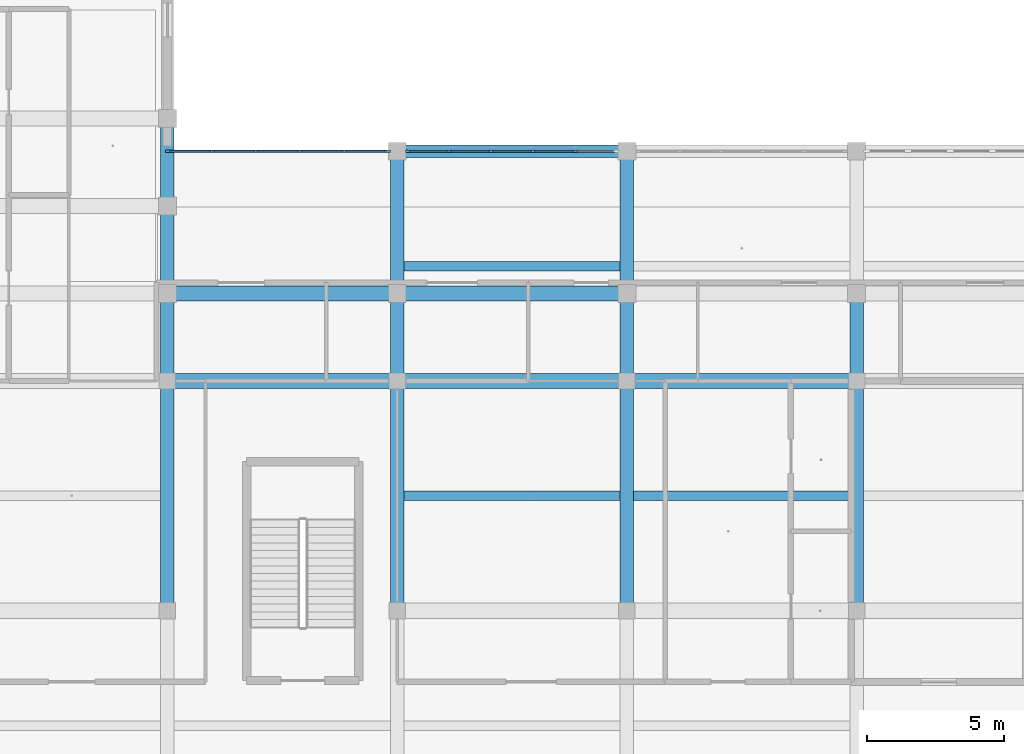
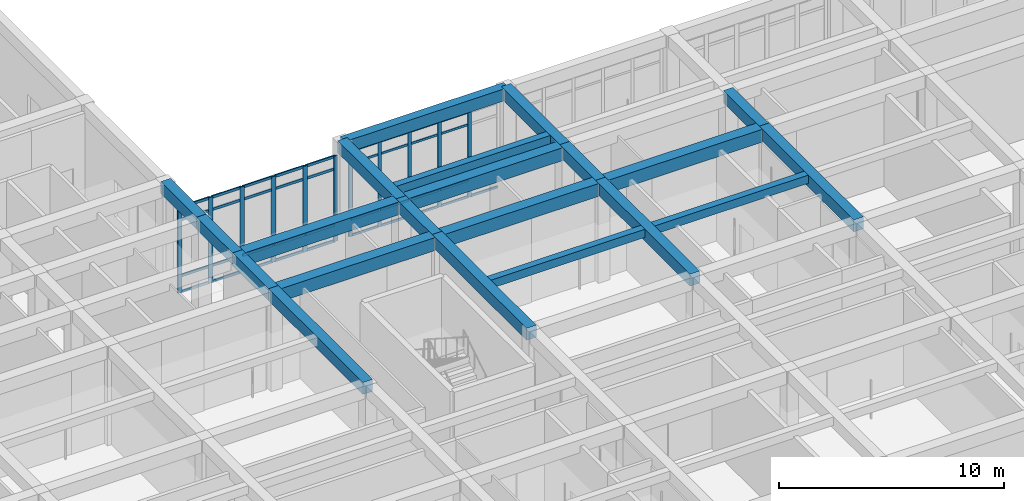
# One storey, part 41 of 157: 48 members, 21 beams, 2 elements without a shape of their own.
"""IFC4 building model written with IfcOpenShell, lengths in metres."""

import ifcopenshell
import ifcopenshell.guid

model = None  # the IFC model being written
_history = None  # IfcOwnerHistory: only IFC2X3 demands one
_inside = {}  # id of a spatial element -> (the spatial element, [elements in it])
_under = {}  # id of a project, library or spatial element -> (it, [spatial elements below it])
_declared = {}  # id of a project -> (the project, [libraries it declares])
_typed = {}  # id of a type object -> (the type object, [elements of that type])
_made_of = {}  # id of a material, layer set ... -> (it, [elements and type objects made of it])


def new_model(schema):
    """Start an empty IFC model of exactly this schema.

    Asked for "IFC4X3", IfcOpenShell would pick the latest addendum, in which some entities
    have other attributes; the version numbers below select the first issue.
    IFC2X3 requires an IfcOwnerHistory on every rooted entity: one is made here for all.
    """
    global model, _history
    if schema == "IFC4X3":
        model = ifcopenshell.file(schema_version=(4, 3, 0, 0))
    else:
        model = ifcopenshell.file(schema=schema)
    _inside.clear()
    _under.clear()
    _declared.clear()
    _typed.clear()
    _made_of.clear()
    _history = None
    if model.schema == "IFC2X3":
        org = make("IfcOrganization", Name="unknown")
        user = make(
            "IfcPersonAndOrganization",
            ThePerson=make("IfcPerson", FamilyName="unknown"),
            TheOrganization=org,
        )
        app = make(
            "IfcApplication",
            ApplicationDeveloper=org,
            Version="unknown",
            ApplicationFullName="unknown",
            ApplicationIdentifier="unknown",
        )
        _history = make(
            "IfcOwnerHistory",
            OwningUser=user,
            OwningApplication=app,
            ChangeAction="ADDED",
            CreationDate=0,
        )
    return model


def make(cls, **values):
    """One entity of the class cls with the attributes given. An attribute that is None is left unset."""
    return model.create_entity(
        cls, **{name: value for name, value in values.items() if value is not None}
    )


def rooted(cls, **values):
    """An entity with a GlobalId (a new one), such as an element, a storey or a relation."""
    return make(cls, GlobalId=ifcopenshell.guid.new(), OwnerHistory=_history, **values)


def si_unit(unit_type, name, prefix=None):
    """IfcSIUnit, for example si_unit("LENGTHUNIT", "METRE", prefix="MILLI")."""
    return make("IfcSIUnit", UnitType=unit_type, Prefix=prefix, Name=name)


def assignment(units):
    """IfcUnitAssignment: the units of a project."""
    return None if units is None else make("IfcUnitAssignment", Units=units)


def point(xyz):
    """IfcCartesianPoint."""
    return None if xyz is None else make("IfcCartesianPoint", Coordinates=xyz)


def direction(xyz):
    """IfcDirection."""
    return None if xyz is None else make("IfcDirection", DirectionRatios=xyz)


def frame(location, z_axis=None, x_axis=None):
    """IfcAxis2Placement3D, a coordinate frame: its origin and axes. An axis left out is left unset."""
    return make(
        "IfcAxis2Placement3D",
        Location=point(location),
        Axis=direction(z_axis),
        RefDirection=direction(x_axis),
    )


def frame_2d(location, x_axis=None):
    """IfcAxis2Placement2D, a coordinate frame in the plane: its origin and x axis."""
    return make(
        "IfcAxis2Placement2D", Location=point(location), RefDirection=direction(x_axis)
    )


def origin():
    """The frame at (0, 0, 0) with its axes left unset."""
    return frame((0.0, 0.0, 0.0))


def origin_2d():
    """The frame at (0, 0) in the plane with its x axis left unset."""
    return frame_2d((0.0, 0.0))


def place(relative_to, where):
    """IfcLocalPlacement: puts the frame where relative to a parent placement (None: the world)."""
    return make(
        "IfcLocalPlacement", PlacementRelTo=relative_to, RelativePlacement=where
    )


def context(
    kind, dimensions, precision=None, world=None, true_north=None, identifier=None
):
    """IfcGeometricRepresentationContext, for example the 3D "Model" context."""
    return make(
        "IfcGeometricRepresentationContext",
        ContextIdentifier=identifier,
        ContextType=kind,
        CoordinateSpaceDimension=dimensions,
        Precision=precision,
        WorldCoordinateSystem=world,
        TrueNorth=true_north,
    )


def subcontext(parent, identifier, kind, view, scale=None):
    """IfcGeometricRepresentationSubContext, for example "Body" below "Model"."""
    return make(
        "IfcGeometricRepresentationSubContext",
        ContextIdentifier=identifier,
        ContextType=kind,
        ParentContext=parent,
        TargetScale=scale,
        TargetView=view,
    )


def project(units=None, contexts=None):
    """IfcProject with its units and contexts."""
    return rooted(
        "IfcProject",
        Name="project",
        RepresentationContexts=contexts,
        UnitsInContext=assignment(units),
    )


def spatial(cls, under=None, at=None, **own):
    """A site, building, storey or space (cls), placed at a placement, below another one or the project."""
    s = rooted(cls, ObjectPlacement=at, **own)
    if under is not None:
        _under.setdefault(under.id(), (under, []))[1].append(s)
    return s


def profile(cls, at=None, kind="AREA", **sizes):
    """A parametric profile (cls). Its sizes go by their IFC names, for example OverallWidth=200.0."""
    return make(cls, ProfileType=kind, Position=at, **sizes)


def rectangle(**sizes):
    """IfcRectangleProfileDef."""
    return profile("IfcRectangleProfileDef", **sizes)


def extrude(swept, where, along, depth):
    """IfcExtrudedAreaSolid: the profile swept, set in the frame where, extruded along a direction by depth."""
    return make(
        "IfcExtrudedAreaSolid",
        SweptArea=swept,
        Position=where,
        ExtrudedDirection=direction(along),
        Depth=depth,
    )


def shape(context_of_items, identifier, shape_type, items):
    """IfcShapeRepresentation: the items that make up one representation, for example the "Body"."""
    return make(
        "IfcShapeRepresentation",
        ContextOfItems=context_of_items,
        RepresentationIdentifier=identifier,
        RepresentationType=shape_type,
        Items=items,
    )


def material(Name=None, Category=None):
    """IfcMaterial."""
    return make("IfcMaterial", Name=Name, Category=Category)


def material_profile(
    of_material, cross_section, Name=None, Category=None, Priority=None
):
    """IfcMaterialProfile: a cross section and its material."""
    return make(
        "IfcMaterialProfile",
        Name=Name,
        Material=of_material,
        Profile=cross_section,
        Priority=Priority,
        Category=Category,
    )


def profile_set(profiles, Name=None, composite=None):
    """IfcMaterialProfileSet."""
    return make(
        "IfcMaterialProfileSet",
        Name=Name,
        MaterialProfiles=profiles,
        CompositeProfile=composite,
    )


def made_of(thing, what):
    """Note that an element or type object is made of a material, layer set ...; save() writes the relation."""
    if what is not None:
        _made_of.setdefault(what.id(), (what, []))[1].append(thing)
    return thing


def type_object(cls, material=None, **own):
    """A type object (cls), such as IfcWallType, which elements share."""
    return made_of(rooted(cls, **own), material)


def element(
    cls,
    number,
    at=None,
    inside=None,
    cuts=None,
    type_object=None,
    material=None,
    context=None,
    identifier="Body",
    shape_type=None,
    held_by="IfcProductDefinitionShape",
    body=None,
    shapes=None,
    **own,
):
    """One element of the class cls, such as IfcWall. Its Tag is "e" and its number.

    at: its placement. inside: the storey or other place that contains it. cuts: it is an
    opening in that element (IfcRelVoidsElement). A single representation is given by context,
    identifier, shape_type and body (its items); several are given by shapes. held_by: the class
    of the entity that holds the representations. save() writes the other relations.
    """
    e = rooted(cls, Tag="e%d" % number, ObjectPlacement=at, **own)
    if body is not None:
        shapes = [shape(context, identifier, shape_type, body)]
    if shapes is not None:
        e.Representation = make(held_by, Representations=shapes)
    if inside is not None:
        _inside.setdefault(inside.id(), (inside, []))[1].append(e)
    if cuts is not None:
        rooted(
            "IfcRelVoidsElement", RelatingBuildingElement=cuts, RelatedOpeningElement=e
        )
    if type_object is not None:
        _typed.setdefault(type_object.id(), (type_object, []))[1].append(e)
    return made_of(e, material)


def aggregate(whole, parts):
    """IfcRelAggregates: a whole, such as a stair, and the parts it consists of."""
    return rooted("IfcRelAggregates", RelatingObject=whole, RelatedObjects=parts)


def save(model, path):
    """Write the relations noted so far, then the file.

    IfcRelAggregates (storeys below a building ...), IfcRelContainedInSpatialStructure (elements
    in a storey), IfcRelDefinesByType, IfcRelAssociatesMaterial and IfcRelDeclares: one each for
    every whole, place, type object, material and project.
    """
    for whole, parts in _under.values():
        aggregate(whole, parts)
    for where, things in _inside.values():
        rooted(
            "IfcRelContainedInSpatialStructure",
            RelatedElements=things,
            RelatingStructure=where,
        )
    for kind, things in _typed.values():
        rooted("IfcRelDefinesByType", RelatedObjects=things, RelatingType=kind)
    for what, things in _made_of.values():
        rooted("IfcRelAssociatesMaterial", RelatedObjects=things, RelatingMaterial=what)
    for by, libraries in _declared.values():
        rooted("IfcRelDeclares", RelatingContext=by, RelatedDefinitions=libraries)
    model.write(path)


model = new_model("IFC4")

# Units and contexts
model_context = context("Model", 3, precision=1e-05, world=origin(), true_north=direction((0.0, 1.0)))
body_context = subcontext(model_context, "Body", "Model", "MODEL_VIEW")
ifc_project = project(units=[si_unit("LENGTHUNIT", "METRE"), si_unit("AREAUNIT", "SQUARE_METRE"), si_unit("VOLUMEUNIT", "CUBIC_METRE"), si_unit("PLANEANGLEUNIT", "RADIAN"), si_unit("MASSUNIT", "GRAM", prefix="KILO")], contexts=[model_context])

# Site, building, storey
site_placement = place(None, origin())
site = spatial("IfcSite", under=ifc_project, at=site_placement, CompositionType="ELEMENT")
building_placement = place(site_placement, origin())
building = spatial("IfcBuilding", under=site, at=building_placement, Name="Varncliffe General Hospital", CompositionType="ELEMENT")
storey_placement = place(building_placement, frame((0.0, 0.0, 5.39990234375)))
storey = spatial("IfcBuildingStorey", under=building, at=storey_placement, Name="L01", CompositionType="ELEMENT", Elevation=5.39990234375)

# Beams
ifc_material_1 = material(Name="Concrete C35/45 (CSA A23.1 35 MPa)", Category="concrete")
ifc_material_profile_1 = material_profile(ifc_material_1, rectangle(XDim=0.5, YDim=0.64990234375, at=origin_2d()), Name="RC 500x650")
ifc_profile_set_1 = profile_set([ifc_material_profile_1], Name="Concrete C35/45 (CSA A23.1 35 MPa)")
beam_type_1 = type_object("IfcBeamType", Name="Beam B29 (Int RC 500x650)", PredefinedType="BEAM", material=ifc_profile_set_1)
beam_1_placement = place(storey_placement, frame((67.199951171875, 91.199951171875, 5.0751953125), z_axis=(0.0, 1.0, 0.0), x_axis=(-1.0, 0.0, 0.0)))
element("IfcBeam", 1, at=beam_1_placement, inside=storey, type_object=beam_type_1, Name="L01 Primary Beam B29-373", PredefinedType="BEAM", context=body_context, shape_type="SweptSolid", body=[
    extrude(rectangle(XDim=0.5, YDim=0.64990234375, at=origin_2d()), origin(), (0.0, 0.0, 1.0), 8.400146484375),
])
for number, where, z_axis, x_axis, name in (
    (2, (67.199951171875, 99.60009765625, 5.0751953125), (0.0, 1.0, 0.0), (-1.0, 0.0, 0.0), "L01 Primary Beam B29-374"),
    (3, (67.199951171875, 102.800048828125, 5.0751953125), (0.0, 1.0, 0.0), (-1.0, 0.0, 0.0), "L01 Primary Beam B29-375"),
    (4, (67.199951171875, 106.0, 5.0751953125), (0.0, 1.0, 0.0), (-1.0, 0.0, 0.0), "L01 Primary Beam B29-376"),
):
    element("IfcBeam", number, at=place(storey_placement, frame(where, z_axis=z_axis, x_axis=x_axis)), inside=storey, type_object=beam_type_1, Name=name, PredefinedType="BEAM", context=body_context, shape_type="SweptSolid", body=[
        extrude(rectangle(XDim=0.5, YDim=0.64990234375, at=origin_2d()), origin(), (0.0, 0.0, 1.0), 3.199951171875),
    ])
beam_2_placement = place(storey_placement, frame((75.60009765625, 91.199951171875, 5.0751953125), z_axis=(0.0, 1.0, 0.0), x_axis=(-1.0, 0.0, 0.0)))
element("IfcBeam", 5, at=beam_2_placement, inside=storey, type_object=beam_type_1, Name="L01 Primary Beam B29-383", PredefinedType="BEAM", context=body_context, shape_type="SweptSolid", body=[
    extrude(rectangle(XDim=0.5, YDim=0.64990234375, at=origin_2d()), origin(), (0.0, 0.0, 1.0), 8.400146484375),
])
beam_3_placement = place(storey_placement, frame((75.60009765625, 99.60009765625, 5.0751953125), z_axis=(0.0, 1.0, 0.0), x_axis=(-1.0, 0.0, 0.0)))
element("IfcBeam", 6, at=beam_3_placement, inside=storey, type_object=beam_type_1, Name="L01 Primary Beam B29-384", PredefinedType="BEAM", context=body_context, shape_type="SweptSolid", body=[
    extrude(rectangle(XDim=0.5, YDim=0.64990234375, at=origin_2d()), origin(), (0.0, 0.0, 1.0), 3.199951171875),
])
beam_4_placement = place(storey_placement, frame((75.60009765625, 102.800048828125, 5.0751953125), z_axis=(0.0, 1.0, 0.0), x_axis=(-1.0, 0.0, 0.0)))
element("IfcBeam", 7, at=beam_4_placement, inside=storey, type_object=beam_type_1, Name="L01 Primary Beam B29-385", PredefinedType="BEAM", context=body_context, shape_type="SweptSolid", body=[
    extrude(rectangle(XDim=0.5, YDim=0.64990234375, at=origin_2d()), origin(), (0.0, 0.0, 1.0), 5.199951171875),
])
beam_5_placement = place(storey_placement, frame((84.0, 91.199951171875, 5.0751953125), z_axis=(0.0, 1.0, 0.0), x_axis=(-1.0, 0.0, 0.0)))
element("IfcBeam", 8, at=beam_5_placement, inside=storey, type_object=beam_type_1, Name="L01 Primary Beam B29-390", PredefinedType="BEAM", context=body_context, shape_type="SweptSolid", body=[
    extrude(rectangle(XDim=0.5, YDim=0.64990234375, at=origin_2d()), origin(), (0.0, 0.0, 1.0), 8.400146484375),
])
beam_6_placement = place(storey_placement, frame((84.0, 99.60009765625, 5.0751953125), z_axis=(0.0, 1.0, 0.0), x_axis=(-1.0, 0.0, 0.0)))
element("IfcBeam", 9, at=beam_6_placement, inside=storey, type_object=beam_type_1, Name="L01 Primary Beam B29-391", PredefinedType="BEAM", context=body_context, shape_type="SweptSolid", body=[
    extrude(rectangle(XDim=0.5, YDim=0.64990234375, at=origin_2d()), origin(), (0.0, 0.0, 1.0), 3.199951171875),
])
beam_7_placement = place(storey_placement, frame((84.0, 102.800048828125, 5.0751953125), z_axis=(0.0, 1.0, 0.0), x_axis=(-1.0, 0.0, 0.0)))
element("IfcBeam", 10, at=beam_7_placement, inside=storey, type_object=beam_type_1, Name="L01 Primary Beam B29-392", PredefinedType="BEAM", context=body_context, shape_type="SweptSolid", body=[
    extrude(rectangle(XDim=0.5, YDim=0.64990234375, at=origin_2d()), origin(), (0.0, 0.0, 1.0), 5.199951171875),
])
beam_8_placement = place(storey_placement, frame((92.39990234375, 91.199951171875, 5.0751953125), z_axis=(0.0, 1.0, 0.0), x_axis=(-1.0, 0.0, 0.0)))
element("IfcBeam", 11, at=beam_8_placement, inside=storey, type_object=beam_type_1, Name="L01 Primary Beam B29-397", PredefinedType="BEAM", context=body_context, shape_type="SweptSolid", body=[
    extrude(rectangle(XDim=0.5, YDim=0.64990234375, at=origin_2d()), origin(), (0.0, 0.0, 1.0), 8.400146484375),
])
beam_9_placement = place(storey_placement, frame((92.39990234375, 99.60009765625, 5.0751953125), z_axis=(0.0, 1.0, 0.0), x_axis=(-1.0, 0.0, 0.0)))
element("IfcBeam", 12, at=beam_9_placement, inside=storey, type_object=beam_type_1, Name="L01 Primary Beam B29-398", PredefinedType="BEAM", context=body_context, shape_type="SweptSolid", body=[
    extrude(rectangle(XDim=0.5, YDim=0.64990234375, at=origin_2d()), origin(), (0.0, 0.0, 1.0), 3.199951171875),
])
ifc_material_profile_2 = material_profile(ifc_material_1, rectangle(XDim=0.550048828125, YDim=0.699951171875, at=origin_2d()), Name="RC 550x700")
ifc_profile_set_2 = profile_set([ifc_material_profile_2], Name="Concrete C35/45 (CSA A23.1 35 MPa)")
beam_type_2 = type_object("IfcBeamType", Name="Beam B35 (Int RC 550x700)", PredefinedType="BEAM", material=ifc_profile_set_2)
beam_10_placement = place(storey_placement, frame((67.199951171875, 99.60009765625, 5.050048828125), z_axis=(1.0, 0.0, 0.0), x_axis=(0.0, 1.0, 0.0)))
element("IfcBeam", 13, at=beam_10_placement, inside=storey, type_object=beam_type_2, Name="L01 Primary Beam B35-158", PredefinedType="BEAM", context=body_context, shape_type="SweptSolid", body=[
    extrude(rectangle(XDim=0.550048828125, YDim=0.699951171875, at=origin_2d()), origin(), (0.0, 0.0, 1.0), 8.400146484375),
])
for number, where, z_axis, x_axis, name in (
    (14, (75.60009765625, 99.60009765625, 5.050048828125), (1.0, 0.0, 0.0), (0.0, 1.0, 0.0), "L01 Primary Beam B35-159"),
    (15, (84.0, 99.60009765625, 5.050048828125), (1.0, 0.0, 0.0), (0.0, 1.0, 0.0), "L01 Primary Beam B35-160"),
):
    element("IfcBeam", number, at=place(storey_placement, frame(where, z_axis=z_axis, x_axis=x_axis)), inside=storey, type_object=beam_type_2, Name=name, PredefinedType="BEAM", context=body_context, shape_type="SweptSolid", body=[
        extrude(rectangle(XDim=0.550048828125, YDim=0.699951171875, at=origin_2d()), origin(), (0.0, 0.0, 1.0), 8.39990234375),
    ])
beam_11_placement = place(storey_placement, frame((67.199951171875, 102.800048828125, 5.050048828125), z_axis=(1.0, 0.0, 0.0), x_axis=(0.0, 1.0, 0.0)))
element("IfcBeam", 16, at=beam_11_placement, inside=storey, type_object=beam_type_2, Name="L01 Primary Beam B35-179", PredefinedType="BEAM", context=body_context, shape_type="SweptSolid", body=[
    extrude(rectangle(XDim=0.550048828125, YDim=0.699951171875, at=origin_2d()), origin(), (0.0, 0.0, 1.0), 8.400146484375),
])
beam_12_placement = place(storey_placement, frame((75.60009765625, 102.800048828125, 5.050048828125), z_axis=(1.0, 0.0, 0.0), x_axis=(0.0, 1.0, 0.0)))
element("IfcBeam", 17, at=beam_12_placement, inside=storey, type_object=beam_type_2, Name="L01 Primary Beam B35-180", PredefinedType="BEAM", context=body_context, shape_type="SweptSolid", body=[
    extrude(rectangle(XDim=0.550048828125, YDim=0.699951171875, at=origin_2d()), origin(), (0.0, 0.0, 1.0), 8.39990234375),
])

# Curtain wall, members
ifc_material_2 = material(Name="Triple low-E argon insulated vision glazing", Category="glass")
curtain_wall_type_1 = type_object("IfcCurtainWallType", Name="Unitised Glazed Curtain Wall CW15 (7674x4640)", PredefinedType="USERDEFINED", material=ifc_material_2)
curtain_wall_1_placement = place(storey_placement, origin())
curtain_wall_1 = element("IfcCurtainWall", 18, at=curtain_wall_1_placement, inside=storey, type_object=curtain_wall_type_1, Name="L01 Glazed Curtain Wall CW15-40", ObjectType="GLAZED CURTAIN WALL", PredefinedType="USERDEFINED")
ifc_material_3 = material(Name="Dark bronze thermally broken aluminium framing", Category="aluminium")
ifc_material_profile_3 = material_profile(ifc_material_3, rectangle(XDim=0.074951171875, YDim=0.179931640625, at=origin_2d()), Name="ALU 75x180")
ifc_profile_set_3 = profile_set([ifc_material_profile_3], Name="Dark bronze thermally broken aluminium framing")
member_type_1 = type_object("IfcMemberType", Name="Curtain Wall Mullion CM44 (ALU 75x180)", PredefinedType="MULLION", material=ifc_profile_set_3)
member_1_placement = place(storey_placement, frame((76.00048828125, 108.0, 0.0), z_axis=(0.0, 0.0, 1.0), x_axis=(0.0, 1.0, 0.0)))
member_1 = element("IfcMember", 19, at=member_1_placement, type_object=member_type_1, Name="CW15 mullion 1", PredefinedType="MULLION", context=body_context, shape_type="SweptSolid", body=[
    extrude(rectangle(XDim=0.074951171875, YDim=0.179931640625, at=origin_2d()), origin(), (0.0, 0.0, 1.0), 4.64013671875),
])
member_2_placement = place(storey_placement, frame((77.497802734375, 108.0, 0.0), z_axis=(0.0, 0.0, 1.0), x_axis=(0.0, 1.0, 0.0)))
member_2 = element("IfcMember", 20, at=member_2_placement, type_object=member_type_1, Name="CW15 mullion 2", PredefinedType="MULLION", context=body_context, shape_type="SweptSolid", body=[
    extrude(rectangle(XDim=0.074951171875, YDim=0.179931640625, at=origin_2d()), origin(), (0.0, 0.0, 1.0), 4.64013671875),
])
member_3_placement = place(storey_placement, frame((79.03271484375, 108.0, 0.0), z_axis=(0.0, 0.0, 1.0), x_axis=(0.0, 1.0, 0.0)))
member_3 = element("IfcMember", 21, at=member_3_placement, type_object=member_type_1, Name="CW15 mullion 3", PredefinedType="MULLION", context=body_context, shape_type="SweptSolid", body=[
    extrude(rectangle(XDim=0.074951171875, YDim=0.179931640625, at=origin_2d()), origin(), (0.0, 0.0, 1.0), 4.64013671875),
])
member_4_placement = place(storey_placement, frame((80.5673828125, 108.0, 0.0), z_axis=(0.0, 0.0, 1.0), x_axis=(0.0, 1.0, 0.0)))
member_4 = element("IfcMember", 22, at=member_4_placement, type_object=member_type_1, Name="CW15 mullion 4", PredefinedType="MULLION", context=body_context, shape_type="SweptSolid", body=[
    extrude(rectangle(XDim=0.074951171875, YDim=0.179931640625, at=origin_2d()), origin(), (0.0, 0.0, 1.0), 4.64013671875),
])
member_5_placement = place(storey_placement, frame((82.102294921875, 108.0, 0.0), z_axis=(0.0, 0.0, 1.0), x_axis=(0.0, 1.0, 0.0)))
member_5 = element("IfcMember", 23, at=member_5_placement, type_object=member_type_1, Name="CW15 mullion 5", PredefinedType="MULLION", context=body_context, shape_type="SweptSolid", body=[
    extrude(rectangle(XDim=0.074951171875, YDim=0.179931640625, at=origin_2d()), origin(), (0.0, 0.0, 1.0), 4.64013671875),
])

curtain_wall_type_2 = type_object("IfcCurtainWallType", Name="Unitised Glazed Curtain Wall CW32 (8077x4640)", PredefinedType="USERDEFINED", material=ifc_material_2)
curtain_wall_2_placement = place(storey_placement, origin())
curtain_wall_2 = element("IfcCurtainWall", 24, at=curtain_wall_2_placement, inside=storey, type_object=curtain_wall_type_2, Name="L01 Glazed Curtain Wall CW32-39", ObjectType="GLAZED CURTAIN WALL", PredefinedType="USERDEFINED")
ifc_material_profile_4 = material_profile(ifc_material_3, rectangle(XDim=0.074951171875, YDim=0.219970703125, at=origin_2d()), Name="ALU 75x220")
ifc_profile_set_4 = profile_set([ifc_material_profile_4], Name="Dark bronze thermally broken aluminium framing")
member_type_2 = type_object("IfcMemberType", Name="Curtain Wall Mullion CM74 (ALU 75x220)", PredefinedType="MULLION", material=ifc_profile_set_4)
member_6_placement = place(storey_placement, frame((67.237548828125, 108.0, 0.0), z_axis=(0.0, 0.0, 1.0), x_axis=(0.0, 1.0, 0.0)))
member_6 = element("IfcMember", 25, at=member_6_placement, type_object=member_type_2, Name="CW32 mullion 1", PredefinedType="MULLION", context=body_context, shape_type="SweptSolid", body=[
    extrude(rectangle(XDim=0.074951171875, YDim=0.219970703125, at=origin_2d()), origin(), (0.0, 0.0, 1.0), 4.64013671875),
])
member_7_placement = place(storey_placement, frame((68.8154296875, 108.0, 0.0), z_axis=(0.0, 0.0, 1.0), x_axis=(0.0, 1.0, 0.0)))
member_7 = element("IfcMember", 26, at=member_7_placement, type_object=member_type_2, Name="CW32 mullion 2", PredefinedType="MULLION", context=body_context, shape_type="SweptSolid", body=[
    extrude(rectangle(XDim=0.074951171875, YDim=0.219970703125, at=origin_2d()), origin(), (0.0, 0.0, 1.0), 4.64013671875),
])
member_8_placement = place(storey_placement, frame((70.430908203125, 108.0, 0.0), z_axis=(0.0, 0.0, 1.0), x_axis=(0.0, 1.0, 0.0)))
member_8 = element("IfcMember", 27, at=member_8_placement, type_object=member_type_2, Name="CW32 mullion 3", PredefinedType="MULLION", context=body_context, shape_type="SweptSolid", body=[
    extrude(rectangle(XDim=0.074951171875, YDim=0.219970703125, at=origin_2d()), origin(), (0.0, 0.0, 1.0), 4.64013671875),
])
member_9_placement = place(storey_placement, frame((72.046142578125, 108.0, 0.0), z_axis=(0.0, 0.0, 1.0), x_axis=(0.0, 1.0, 0.0)))
member_9 = element("IfcMember", 28, at=member_9_placement, type_object=member_type_2, Name="CW32 mullion 4", PredefinedType="MULLION", context=body_context, shape_type="SweptSolid", body=[
    extrude(rectangle(XDim=0.074951171875, YDim=0.219970703125, at=origin_2d()), origin(), (0.0, 0.0, 1.0), 4.64013671875),
])
member_10_placement = place(storey_placement, frame((73.66162109375, 108.0, 0.0), z_axis=(0.0, 0.0, 1.0), x_axis=(0.0, 1.0, 0.0)))
member_10 = element("IfcMember", 29, at=member_10_placement, type_object=member_type_2, Name="CW32 mullion 5", PredefinedType="MULLION", context=body_context, shape_type="SweptSolid", body=[
    extrude(rectangle(XDim=0.074951171875, YDim=0.219970703125, at=origin_2d()), origin(), (0.0, 0.0, 1.0), 4.64013671875),
])
member_11_placement = place(storey_placement, frame((75.239501953125, 108.0, 0.0), z_axis=(0.0, 0.0, 1.0), x_axis=(0.0, 1.0, 0.0)))
member_11 = element("IfcMember", 30, at=member_11_placement, type_object=member_type_2, Name="CW32 mullion 6", PredefinedType="MULLION", context=body_context, shape_type="SweptSolid", body=[
    extrude(rectangle(XDim=0.074951171875, YDim=0.219970703125, at=origin_2d()), origin(), (0.0, 0.0, 1.0), 4.64013671875),
])

# Member
ifc_material_profile_5 = material_profile(ifc_material_3, rectangle(XDim=0.06005859375, YDim=0.1201171875, at=origin_2d()), Name="ALU 60x120")
ifc_profile_set_5 = profile_set([ifc_material_profile_5], Name="Dark bronze thermally broken aluminium framing")
member_type_3 = type_object("IfcMemberType", Name="Curtain Wall Transom CT14 (ALU 60x120)", PredefinedType="USERDEFINED", material=ifc_profile_set_5)
member_12_placement = place(storey_placement, frame((76.0380859375, 108.0, 0.030029296875), z_axis=(1.0, 0.0, 0.0), x_axis=(0.0, 1.0, 0.0)))
member_12 = element("IfcMember", 31, at=member_12_placement, type_object=member_type_3, Name="CW15 transom 1.1", ObjectType="TRANSOM", PredefinedType="USERDEFINED", context=body_context, shape_type="SweptSolid", body=[
    extrude(rectangle(XDim=0.06005859375, YDim=0.1201171875, at=origin_2d()), origin(), (0.0, 0.0, 1.0), 1.422119140625),
])

member_13_placement = place(storey_placement, frame((76.0380859375, 108.0, 0.900146484375), z_axis=(1.0, 0.0, 0.0), x_axis=(0.0, 1.0, 0.0)))
member_13 = element("IfcMember", 32, at=member_13_placement, type_object=member_type_3, Name="CW15 transom 1.2", ObjectType="TRANSOM", PredefinedType="USERDEFINED", context=body_context, shape_type="SweptSolid", body=[
    extrude(rectangle(XDim=0.06005859375, YDim=0.1201171875, at=origin_2d()), origin(), (0.0, 0.0, 1.0), 1.422119140625),
])

member_14_placement = place(storey_placement, frame((76.0380859375, 108.0, 3.940185546875), z_axis=(1.0, 0.0, 0.0), x_axis=(0.0, 1.0, 0.0)))
member_14 = element("IfcMember", 33, at=member_14_placement, type_object=member_type_3, Name="CW15 transom 1.3", ObjectType="TRANSOM", PredefinedType="USERDEFINED", context=body_context, shape_type="SweptSolid", body=[
    extrude(rectangle(XDim=0.06005859375, YDim=0.1201171875, at=origin_2d()), origin(), (0.0, 0.0, 1.0), 1.422119140625),
])

member_15_placement = place(storey_placement, frame((76.0380859375, 108.0, 4.610107421875), z_axis=(1.0, 0.0, 0.0), x_axis=(0.0, 1.0, 0.0)))
member_15 = element("IfcMember", 34, at=member_15_placement, type_object=member_type_3, Name="CW15 transom 1.4", ObjectType="TRANSOM", PredefinedType="USERDEFINED", context=body_context, shape_type="SweptSolid", body=[
    extrude(rectangle(XDim=0.06005859375, YDim=0.1201171875, at=origin_2d()), origin(), (0.0, 0.0, 1.0), 1.422119140625),
])

member_16_placement = place(storey_placement, frame((77.535400390625, 108.0, 0.030029296875), z_axis=(1.0, 0.0, 0.0), x_axis=(0.0, 1.0, 0.0)))
member_16 = element("IfcMember", 35, at=member_16_placement, type_object=member_type_3, Name="CW15 transom 2.1", ObjectType="TRANSOM", PredefinedType="USERDEFINED", context=body_context, shape_type="SweptSolid", body=[
    extrude(rectangle(XDim=0.06005859375, YDim=0.1201171875, at=origin_2d()), origin(), (0.0, 0.0, 1.0), 1.459716796875),
])

member_17_placement = place(storey_placement, frame((77.535400390625, 108.0, 0.900146484375), z_axis=(1.0, 0.0, 0.0), x_axis=(0.0, 1.0, 0.0)))
member_17 = element("IfcMember", 36, at=member_17_placement, type_object=member_type_3, Name="CW15 transom 2.2", ObjectType="TRANSOM", PredefinedType="USERDEFINED", context=body_context, shape_type="SweptSolid", body=[
    extrude(rectangle(XDim=0.06005859375, YDim=0.1201171875, at=origin_2d()), origin(), (0.0, 0.0, 1.0), 1.459716796875),
])

member_18_placement = place(storey_placement, frame((77.535400390625, 108.0, 3.940185546875), z_axis=(1.0, 0.0, 0.0), x_axis=(0.0, 1.0, 0.0)))
member_18 = element("IfcMember", 37, at=member_18_placement, type_object=member_type_3, Name="CW15 transom 2.3", ObjectType="TRANSOM", PredefinedType="USERDEFINED", context=body_context, shape_type="SweptSolid", body=[
    extrude(rectangle(XDim=0.06005859375, YDim=0.1201171875, at=origin_2d()), origin(), (0.0, 0.0, 1.0), 1.459716796875),
])

member_19_placement = place(storey_placement, frame((77.535400390625, 108.0, 4.610107421875), z_axis=(1.0, 0.0, 0.0), x_axis=(0.0, 1.0, 0.0)))
member_19 = element("IfcMember", 38, at=member_19_placement, type_object=member_type_3, Name="CW15 transom 2.4", ObjectType="TRANSOM", PredefinedType="USERDEFINED", context=body_context, shape_type="SweptSolid", body=[
    extrude(rectangle(XDim=0.06005859375, YDim=0.1201171875, at=origin_2d()), origin(), (0.0, 0.0, 1.0), 1.459716796875),
])

member_20_placement = place(storey_placement, frame((79.070068359375, 108.0, 0.030029296875), z_axis=(1.0, 0.0, 0.0), x_axis=(0.0, 1.0, 0.0)))
member_20 = element("IfcMember", 39, at=member_20_placement, type_object=member_type_3, Name="CW15 transom 3.1", ObjectType="TRANSOM", PredefinedType="USERDEFINED", context=body_context, shape_type="SweptSolid", body=[
    extrude(rectangle(XDim=0.06005859375, YDim=0.1201171875, at=origin_2d()), origin(), (0.0, 0.0, 1.0), 1.459716796875),
])

member_21_placement = place(storey_placement, frame((79.070068359375, 108.0, 0.900146484375), z_axis=(1.0, 0.0, 0.0), x_axis=(0.0, 1.0, 0.0)))
member_21 = element("IfcMember", 40, at=member_21_placement, type_object=member_type_3, Name="CW15 transom 3.2", ObjectType="TRANSOM", PredefinedType="USERDEFINED", context=body_context, shape_type="SweptSolid", body=[
    extrude(rectangle(XDim=0.06005859375, YDim=0.1201171875, at=origin_2d()), origin(), (0.0, 0.0, 1.0), 1.459716796875),
])

member_22_placement = place(storey_placement, frame((79.070068359375, 108.0, 3.940185546875), z_axis=(1.0, 0.0, 0.0), x_axis=(0.0, 1.0, 0.0)))
member_22 = element("IfcMember", 41, at=member_22_placement, type_object=member_type_3, Name="CW15 transom 3.3", ObjectType="TRANSOM", PredefinedType="USERDEFINED", context=body_context, shape_type="SweptSolid", body=[
    extrude(rectangle(XDim=0.06005859375, YDim=0.1201171875, at=origin_2d()), origin(), (0.0, 0.0, 1.0), 1.459716796875),
])

member_23_placement = place(storey_placement, frame((79.070068359375, 108.0, 4.610107421875), z_axis=(1.0, 0.0, 0.0), x_axis=(0.0, 1.0, 0.0)))
member_23 = element("IfcMember", 42, at=member_23_placement, type_object=member_type_3, Name="CW15 transom 3.4", ObjectType="TRANSOM", PredefinedType="USERDEFINED", context=body_context, shape_type="SweptSolid", body=[
    extrude(rectangle(XDim=0.06005859375, YDim=0.1201171875, at=origin_2d()), origin(), (0.0, 0.0, 1.0), 1.459716796875),
])

member_24_placement = place(storey_placement, frame((80.60498046875, 108.0, 0.030029296875), z_axis=(1.0, 0.0, 0.0), x_axis=(0.0, 1.0, 0.0)))
member_24 = element("IfcMember", 43, at=member_24_placement, type_object=member_type_3, Name="CW15 transom 4.1", ObjectType="TRANSOM", PredefinedType="USERDEFINED", context=body_context, shape_type="SweptSolid", body=[
    extrude(rectangle(XDim=0.06005859375, YDim=0.1201171875, at=origin_2d()), origin(), (0.0, 0.0, 1.0), 1.459716796875),
])

member_25_placement = place(storey_placement, frame((80.60498046875, 108.0, 0.900146484375), z_axis=(1.0, 0.0, 0.0), x_axis=(0.0, 1.0, 0.0)))
member_25 = element("IfcMember", 44, at=member_25_placement, type_object=member_type_3, Name="CW15 transom 4.2", ObjectType="TRANSOM", PredefinedType="USERDEFINED", context=body_context, shape_type="SweptSolid", body=[
    extrude(rectangle(XDim=0.06005859375, YDim=0.1201171875, at=origin_2d()), origin(), (0.0, 0.0, 1.0), 1.459716796875),
])

member_26_placement = place(storey_placement, frame((80.60498046875, 108.0, 3.940185546875), z_axis=(1.0, 0.0, 0.0), x_axis=(0.0, 1.0, 0.0)))
member_26 = element("IfcMember", 45, at=member_26_placement, type_object=member_type_3, Name="CW15 transom 4.3", ObjectType="TRANSOM", PredefinedType="USERDEFINED", context=body_context, shape_type="SweptSolid", body=[
    extrude(rectangle(XDim=0.06005859375, YDim=0.1201171875, at=origin_2d()), origin(), (0.0, 0.0, 1.0), 1.459716796875),
])

member_27_placement = place(storey_placement, frame((80.60498046875, 108.0, 4.610107421875), z_axis=(1.0, 0.0, 0.0), x_axis=(0.0, 1.0, 0.0)))
member_27 = element("IfcMember", 46, at=member_27_placement, type_object=member_type_3, Name="CW15 transom 4.4", ObjectType="TRANSOM", PredefinedType="USERDEFINED", context=body_context, shape_type="SweptSolid", body=[
    extrude(rectangle(XDim=0.06005859375, YDim=0.1201171875, at=origin_2d()), origin(), (0.0, 0.0, 1.0), 1.459716796875),
])

member_28_placement = place(storey_placement, frame((82.1396484375, 108.0, 0.030029296875), z_axis=(1.0, 0.0, 0.0), x_axis=(0.0, 1.0, 0.0)))
member_28 = element("IfcMember", 47, at=member_28_placement, type_object=member_type_3, Name="CW15 transom 5.1", ObjectType="TRANSOM", PredefinedType="USERDEFINED", context=body_context, shape_type="SweptSolid", body=[
    extrude(rectangle(XDim=0.06005859375, YDim=0.1201171875, at=origin_2d()), origin(), (0.0, 0.0, 1.0), 1.42236328125),
])

aggregate(curtain_wall_1, [member_1, member_2, member_3, member_4, member_5, member_12, member_13, member_14, member_15, member_16, member_17, member_18, member_19, member_20, member_21, member_22, member_23, member_24, member_25, member_26, member_27, member_28])

ifc_material_profile_6 = material_profile(ifc_material_3, rectangle(XDim=0.06494140625, YDim=0.139892578125, at=origin_2d()), Name="ALU 65x140")
ifc_profile_set_6 = profile_set([ifc_material_profile_6], Name="Dark bronze thermally broken aluminium framing")
member_type_4 = type_object("IfcMemberType", Name="Curtain Wall Transom CT69 (ALU 65x140)", PredefinedType="USERDEFINED", material=ifc_profile_set_6)
member_29_placement = place(storey_placement, frame((67.27490234375, 108.0, 0.03271484375), z_axis=(1.0, 0.0, 0.0), x_axis=(0.0, 1.0, 0.0)))
member_29 = element("IfcMember", 48, at=member_29_placement, type_object=member_type_4, Name="CW32 transom 1.1", ObjectType="TRANSOM", PredefinedType="USERDEFINED", context=body_context, shape_type="SweptSolid", body=[
    extrude(rectangle(XDim=0.06494140625, YDim=0.139892578125, at=origin_2d()), origin(), (0.0, 0.0, 1.0), 1.5029296875),
])

member_30_placement = place(storey_placement, frame((67.27490234375, 108.0, 0.900146484375), z_axis=(1.0, 0.0, 0.0), x_axis=(0.0, 1.0, 0.0)))
member_30 = element("IfcMember", 49, at=member_30_placement, type_object=member_type_4, Name="CW32 transom 1.2", ObjectType="TRANSOM", PredefinedType="USERDEFINED", context=body_context, shape_type="SweptSolid", body=[
    extrude(rectangle(XDim=0.06494140625, YDim=0.139892578125, at=origin_2d()), origin(), (0.0, 0.0, 1.0), 1.5029296875),
])

member_31_placement = place(storey_placement, frame((67.27490234375, 108.0, 3.940185546875), z_axis=(1.0, 0.0, 0.0), x_axis=(0.0, 1.0, 0.0)))
member_31 = element("IfcMember", 50, at=member_31_placement, type_object=member_type_4, Name="CW32 transom 1.3", ObjectType="TRANSOM", PredefinedType="USERDEFINED", context=body_context, shape_type="SweptSolid", body=[
    extrude(rectangle(XDim=0.06494140625, YDim=0.139892578125, at=origin_2d()), origin(), (0.0, 0.0, 1.0), 1.5029296875),
])

member_32_placement = place(storey_placement, frame((67.27490234375, 108.0, 4.607666015625), z_axis=(1.0, 0.0, 0.0), x_axis=(0.0, 1.0, 0.0)))
member_32 = element("IfcMember", 51, at=member_32_placement, type_object=member_type_4, Name="CW32 transom 1.4", ObjectType="TRANSOM", PredefinedType="USERDEFINED", context=body_context, shape_type="SweptSolid", body=[
    extrude(rectangle(XDim=0.06494140625, YDim=0.139892578125, at=origin_2d()), origin(), (0.0, 0.0, 1.0), 1.5029296875),
])

member_33_placement = place(storey_placement, frame((68.852783203125, 108.0, 0.03271484375), z_axis=(1.0, 0.0, 0.0), x_axis=(0.0, 1.0, 0.0)))
member_33 = element("IfcMember", 52, at=member_33_placement, type_object=member_type_4, Name="CW32 transom 2.1", ObjectType="TRANSOM", PredefinedType="USERDEFINED", context=body_context, shape_type="SweptSolid", body=[
    extrude(rectangle(XDim=0.06494140625, YDim=0.139892578125, at=origin_2d()), origin(), (0.0, 0.0, 1.0), 1.54052734375),
])

member_34_placement = place(storey_placement, frame((68.852783203125, 108.0, 0.900146484375), z_axis=(1.0, 0.0, 0.0), x_axis=(0.0, 1.0, 0.0)))
member_34 = element("IfcMember", 53, at=member_34_placement, type_object=member_type_4, Name="CW32 transom 2.2", ObjectType="TRANSOM", PredefinedType="USERDEFINED", context=body_context, shape_type="SweptSolid", body=[
    extrude(rectangle(XDim=0.06494140625, YDim=0.139892578125, at=origin_2d()), origin(), (0.0, 0.0, 1.0), 1.54052734375),
])

member_35_placement = place(storey_placement, frame((68.852783203125, 108.0, 3.940185546875), z_axis=(1.0, 0.0, 0.0), x_axis=(0.0, 1.0, 0.0)))
member_35 = element("IfcMember", 54, at=member_35_placement, type_object=member_type_4, Name="CW32 transom 2.3", ObjectType="TRANSOM", PredefinedType="USERDEFINED", context=body_context, shape_type="SweptSolid", body=[
    extrude(rectangle(XDim=0.06494140625, YDim=0.139892578125, at=origin_2d()), origin(), (0.0, 0.0, 1.0), 1.54052734375),
])

member_36_placement = place(storey_placement, frame((68.852783203125, 108.0, 4.607666015625), z_axis=(1.0, 0.0, 0.0), x_axis=(0.0, 1.0, 0.0)))
member_36 = element("IfcMember", 55, at=member_36_placement, type_object=member_type_4, Name="CW32 transom 2.4", ObjectType="TRANSOM", PredefinedType="USERDEFINED", context=body_context, shape_type="SweptSolid", body=[
    extrude(rectangle(XDim=0.06494140625, YDim=0.139892578125, at=origin_2d()), origin(), (0.0, 0.0, 1.0), 1.54052734375),
])

member_37_placement = place(storey_placement, frame((70.46826171875, 108.0, 0.03271484375), z_axis=(1.0, 0.0, 0.0), x_axis=(0.0, 1.0, 0.0)))
member_37 = element("IfcMember", 56, at=member_37_placement, type_object=member_type_4, Name="CW32 transom 3.1", ObjectType="TRANSOM", PredefinedType="USERDEFINED", context=body_context, shape_type="SweptSolid", body=[
    extrude(rectangle(XDim=0.06494140625, YDim=0.139892578125, at=origin_2d()), origin(), (0.0, 0.0, 1.0), 1.54052734375),
])

member_38_placement = place(storey_placement, frame((70.46826171875, 108.0, 0.900146484375), z_axis=(1.0, 0.0, 0.0), x_axis=(0.0, 1.0, 0.0)))
member_38 = element("IfcMember", 57, at=member_38_placement, type_object=member_type_4, Name="CW32 transom 3.2", ObjectType="TRANSOM", PredefinedType="USERDEFINED", context=body_context, shape_type="SweptSolid", body=[
    extrude(rectangle(XDim=0.06494140625, YDim=0.139892578125, at=origin_2d()), origin(), (0.0, 0.0, 1.0), 1.54052734375),
])

member_39_placement = place(storey_placement, frame((70.46826171875, 108.0, 3.940185546875), z_axis=(1.0, 0.0, 0.0), x_axis=(0.0, 1.0, 0.0)))
member_39 = element("IfcMember", 58, at=member_39_placement, type_object=member_type_4, Name="CW32 transom 3.3", ObjectType="TRANSOM", PredefinedType="USERDEFINED", context=body_context, shape_type="SweptSolid", body=[
    extrude(rectangle(XDim=0.06494140625, YDim=0.139892578125, at=origin_2d()), origin(), (0.0, 0.0, 1.0), 1.54052734375),
])

member_40_placement = place(storey_placement, frame((70.46826171875, 108.0, 4.607666015625), z_axis=(1.0, 0.0, 0.0), x_axis=(0.0, 1.0, 0.0)))
member_40 = element("IfcMember", 59, at=member_40_placement, type_object=member_type_4, Name="CW32 transom 3.4", ObjectType="TRANSOM", PredefinedType="USERDEFINED", context=body_context, shape_type="SweptSolid", body=[
    extrude(rectangle(XDim=0.06494140625, YDim=0.139892578125, at=origin_2d()), origin(), (0.0, 0.0, 1.0), 1.54052734375),
])

member_41_placement = place(storey_placement, frame((72.083740234375, 108.0, 0.03271484375), z_axis=(1.0, 0.0, 0.0), x_axis=(0.0, 1.0, 0.0)))
member_41 = element("IfcMember", 60, at=member_41_placement, type_object=member_type_4, Name="CW32 transom 4.1", ObjectType="TRANSOM", PredefinedType="USERDEFINED", context=body_context, shape_type="SweptSolid", body=[
    extrude(rectangle(XDim=0.06494140625, YDim=0.139892578125, at=origin_2d()), origin(), (0.0, 0.0, 1.0), 1.540283203125),
])

member_42_placement = place(storey_placement, frame((72.083740234375, 108.0, 0.900146484375), z_axis=(1.0, 0.0, 0.0), x_axis=(0.0, 1.0, 0.0)))
member_42 = element("IfcMember", 61, at=member_42_placement, type_object=member_type_4, Name="CW32 transom 4.2", ObjectType="TRANSOM", PredefinedType="USERDEFINED", context=body_context, shape_type="SweptSolid", body=[
    extrude(rectangle(XDim=0.06494140625, YDim=0.139892578125, at=origin_2d()), origin(), (0.0, 0.0, 1.0), 1.540283203125),
])

member_43_placement = place(storey_placement, frame((72.083740234375, 108.0, 3.940185546875), z_axis=(1.0, 0.0, 0.0), x_axis=(0.0, 1.0, 0.0)))
member_43 = element("IfcMember", 62, at=member_43_placement, type_object=member_type_4, Name="CW32 transom 4.3", ObjectType="TRANSOM", PredefinedType="USERDEFINED", context=body_context, shape_type="SweptSolid", body=[
    extrude(rectangle(XDim=0.06494140625, YDim=0.139892578125, at=origin_2d()), origin(), (0.0, 0.0, 1.0), 1.540283203125),
])

member_44_placement = place(storey_placement, frame((72.083740234375, 108.0, 4.607666015625), z_axis=(1.0, 0.0, 0.0), x_axis=(0.0, 1.0, 0.0)))
member_44 = element("IfcMember", 63, at=member_44_placement, type_object=member_type_4, Name="CW32 transom 4.4", ObjectType="TRANSOM", PredefinedType="USERDEFINED", context=body_context, shape_type="SweptSolid", body=[
    extrude(rectangle(XDim=0.06494140625, YDim=0.139892578125, at=origin_2d()), origin(), (0.0, 0.0, 1.0), 1.540283203125),
])

member_45_placement = place(storey_placement, frame((73.69921875, 108.0, 0.03271484375), z_axis=(1.0, 0.0, 0.0), x_axis=(0.0, 1.0, 0.0)))
member_45 = element("IfcMember", 64, at=member_45_placement, type_object=member_type_4, Name="CW32 transom 5.1", ObjectType="TRANSOM", PredefinedType="USERDEFINED", context=body_context, shape_type="SweptSolid", body=[
    extrude(rectangle(XDim=0.06494140625, YDim=0.139892578125, at=origin_2d()), origin(), (0.0, 0.0, 1.0), 1.502685546875),
])

member_46_placement = place(storey_placement, frame((73.69921875, 108.0, 0.900146484375), z_axis=(1.0, 0.0, 0.0), x_axis=(0.0, 1.0, 0.0)))
member_46 = element("IfcMember", 65, at=member_46_placement, type_object=member_type_4, Name="CW32 transom 5.2", ObjectType="TRANSOM", PredefinedType="USERDEFINED", context=body_context, shape_type="SweptSolid", body=[
    extrude(rectangle(XDim=0.06494140625, YDim=0.139892578125, at=origin_2d()), origin(), (0.0, 0.0, 1.0), 1.502685546875),
])

member_47_placement = place(storey_placement, frame((73.69921875, 108.0, 3.940185546875), z_axis=(1.0, 0.0, 0.0), x_axis=(0.0, 1.0, 0.0)))
member_47 = element("IfcMember", 66, at=member_47_placement, type_object=member_type_4, Name="CW32 transom 5.3", ObjectType="TRANSOM", PredefinedType="USERDEFINED", context=body_context, shape_type="SweptSolid", body=[
    extrude(rectangle(XDim=0.06494140625, YDim=0.139892578125, at=origin_2d()), origin(), (0.0, 0.0, 1.0), 1.502685546875),
])

member_48_placement = place(storey_placement, frame((73.69921875, 108.0, 4.607666015625), z_axis=(1.0, 0.0, 0.0), x_axis=(0.0, 1.0, 0.0)))
member_48 = element("IfcMember", 67, at=member_48_placement, type_object=member_type_4, Name="CW32 transom 5.4", ObjectType="TRANSOM", PredefinedType="USERDEFINED", context=body_context, shape_type="SweptSolid", body=[
    extrude(rectangle(XDim=0.06494140625, YDim=0.139892578125, at=origin_2d()), origin(), (0.0, 0.0, 1.0), 1.502685546875),
])

aggregate(curtain_wall_2, [member_6, member_7, member_8, member_9, member_10, member_11, member_29, member_30, member_31, member_32, member_33, member_34, member_35, member_36, member_37, member_38, member_39, member_40, member_41, member_42, member_43, member_44, member_45, member_46, member_47, member_48])

# Beams
ifc_material_profile_7 = material_profile(ifc_material_1, rectangle(XDim=0.35009765625, YDim=0.449951171875, at=origin_2d()), Name="RC 350x450")
ifc_profile_set_7 = profile_set([ifc_material_profile_7], Name="Concrete C35/45 (CSA A23.1 35 MPa)")
beam_type_3 = type_object("IfcBeamType", Name="Joist J55 (Int RC 350x450)", PredefinedType="JOIST", material=ifc_profile_set_7)
for number, where, z_axis, x_axis, name in (
    (68, (75.847900390625, 95.39990234375, 5.175048828125), (1.0, 0.0, 0.0), (0.0, 1.0, 0.0), "L01 Secondary Floor Rib J55-39"),
    (69, (75.847900390625, 103.800048828125, 5.175048828125), (1.0, 0.0, 0.0), (0.0, 1.0, 0.0), "L01 Secondary Floor Rib J55-40"),
    (70, (84.248046875, 95.39990234375, 5.175048828125), (1.0, 0.0, 0.0), (0.0, 1.0, 0.0), "L01 Secondary Floor Rib J55-45"),
):
    element("IfcBeam", number, at=place(storey_placement, frame(where, z_axis=z_axis, x_axis=x_axis)), inside=storey, type_object=beam_type_3, Name=name, PredefinedType="JOIST", context=body_context, shape_type="SweptSolid", body=[
        extrude(rectangle(XDim=0.35009765625, YDim=0.449951171875, at=origin_2d()), origin(), (0.0, 0.0, 1.0), 7.904052734375),
    ])
ifc_material_profile_8 = material_profile(ifc_material_1, rectangle(XDim=0.449951171875, YDim=0.64990234375, at=origin_2d()), Name="RC 450x650")
ifc_profile_set_8 = profile_set([ifc_material_profile_8], Name="Concrete C35/45 (CSA A23.1 35 MPa)")
beam_type_4 = type_object("IfcBeamType", Name="Spandrel SP38 (Ext RC 450x650B)", PredefinedType="SPANDREL", material=ifc_profile_set_8)
beam_13_placement = place(storey_placement, frame((75.60009765625, 108.0, 5.0751953125), z_axis=(1.0, 0.0, 0.0), x_axis=(0.0, 1.0, 0.0)))
element("IfcBeam", 71, at=beam_13_placement, inside=storey, type_object=beam_type_4, Name="L01 Spandrel Beam SP38-208", PredefinedType="SPANDREL", context=body_context, shape_type="SweptSolid", body=[
    extrude(rectangle(XDim=0.449951171875, YDim=0.64990234375, at=origin_2d()), origin(), (0.0, 0.0, 1.0), 8.39990234375),
])

save(model, "model.ifc")
